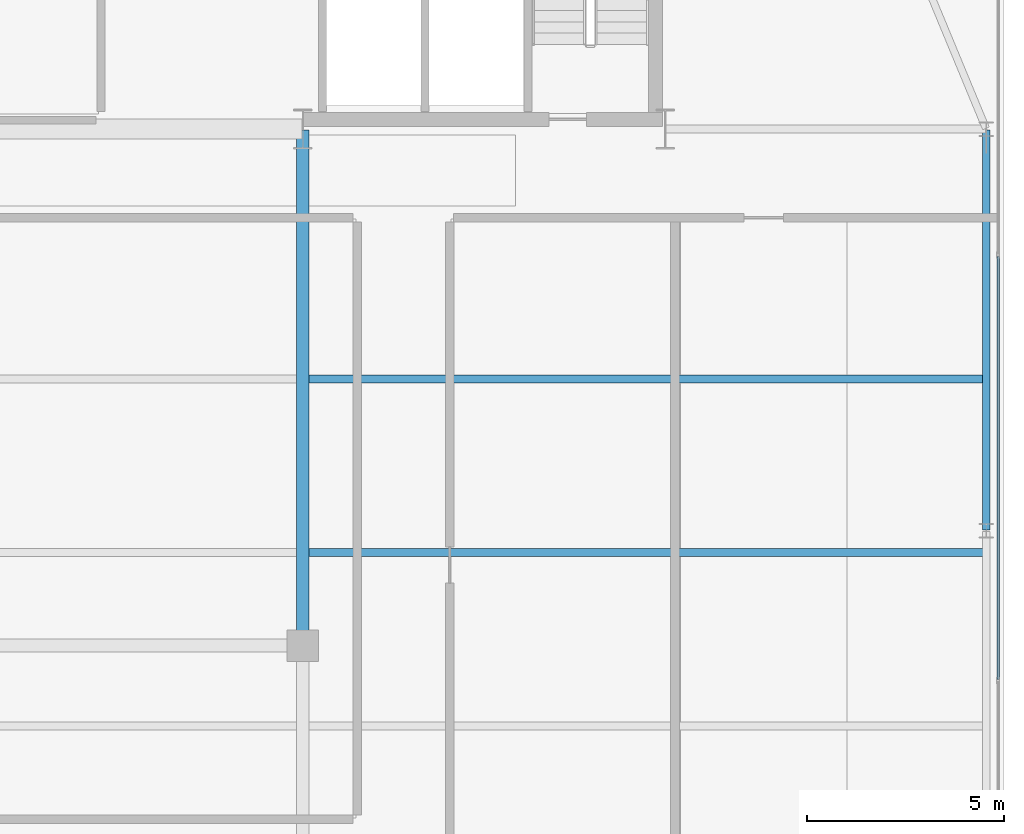
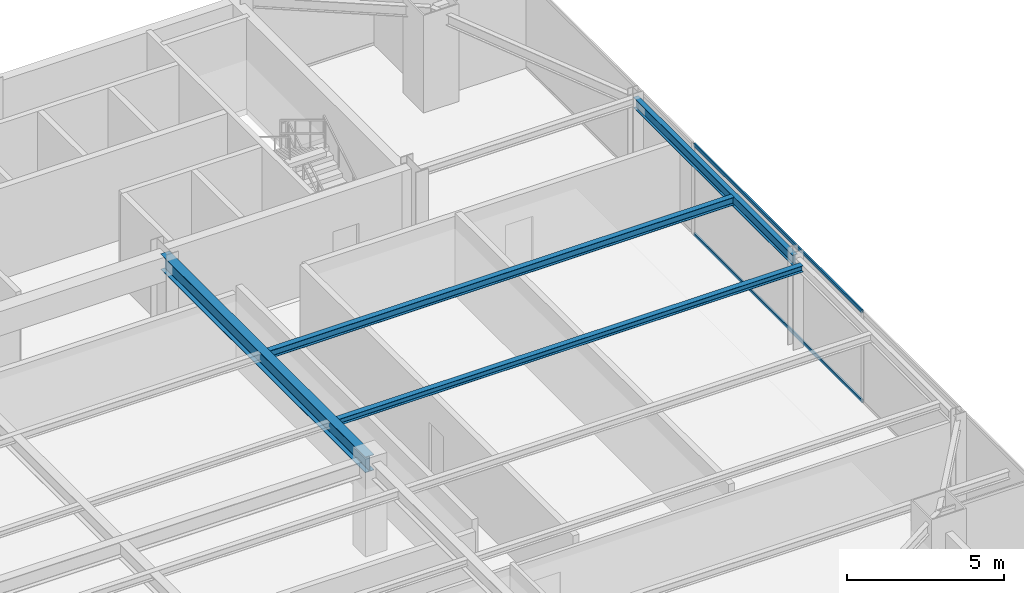
# One storey, part 18 of 29: 4 beams, 2 members, 1 element without a shape of its own.
"""IFC4 building model written with IfcOpenShell, lengths in metres."""

from ifc_helpers import new_model, si_unit, direction, frame, origin, origin_2d, place, context, subcontext, project, spatial, hollow_rectangle, i_section, extrude, source, transform, mapped, material, layer, layer_set, material_profile, profile_set, type_object, type_shapes, element, aggregate, save


model = new_model("IFC4")

# Units and contexts
model_context = context("Model", 3, precision=1e-05, world=origin(), true_north=direction((0.0, 1.0)))
body_context = subcontext(model_context, "Body", "Model", "MODEL_VIEW")
ifc_project = project(units=[si_unit("LENGTHUNIT", "METRE"), si_unit("AREAUNIT", "SQUARE_METRE"), si_unit("VOLUMEUNIT", "CUBIC_METRE"), si_unit("PLANEANGLEUNIT", "RADIAN"), si_unit("MASSUNIT", "GRAM", prefix="KILO")], contexts=[model_context])

# Site, building, storey
site_placement = place(None, origin())
site = spatial("IfcSite", under=ifc_project, at=site_placement, CompositionType="ELEMENT")
building_placement = place(site_placement, origin())
building = spatial("IfcBuilding", under=site, at=building_placement, Name="Varnel Quay Broadcast Tower", CompositionType="ELEMENT")
storey_placement = place(building_placement, frame((0.0, 0.0, 172.39990234375)))
storey = spatial("IfcBuildingStorey", under=building, at=storey_placement, Name="L42", CompositionType="ELEMENT", Elevation=172.39990234375)

# Beams
ifc_material_1 = material(Name="Structural Steel CSA G40.21 350W", Category="steel")
ifc_material_profile_1 = material_profile(ifc_material_1, i_section(OverallWidth=0.180908203125, OverallDepth=0.4169921875, WebThickness=0.010986328125, FlangeThickness=0.018310546875, FilletRadius=0.011962890625, at=origin_2d()), Name="W410X85")
ifc_profile_set_1 = profile_set([ifc_material_profile_1], Name="Structural Steel CSA G40.21 350W")
beam_type_1 = type_object("IfcBeamType", Name="Beam_W410X85", PredefinedType="SPANDREL", material=ifc_profile_set_1)
shared_shape_1 = source(origin(), body_context, "Body", "SweptSolid", [
    extrude(i_section(OverallWidth=0.180908203125, OverallDepth=0.4169921875, WebThickness=0.010986328125, FlangeThickness=0.018310546875, FilletRadius=0.011962890625, at=origin_2d()), origin(), (0.0, 0.0, 1.0), 10.16015625),
])
type_shapes(beam_type_1, [shared_shape_1])
beam_1_placement = place(storey_placement, frame((60.550048828125, 25.419921875, 3.341552734375), z_axis=(0.0, 1.0, 0.0), x_axis=(-1.0, 0.0, 0.0)))
element("IfcBeam", 1, at=beam_1_placement, inside=storey, type_object=beam_type_1, Name="L42 East Spandrel TC-E2-TC-E3", PredefinedType="SPANDREL", context=body_context, shape_type="MappedRepresentation", body=[
    mapped(shared_shape_1, transform((0.0, 0.0, 0.0), x_axis=(1.0, 0.0, 0.0), y_axis=(0.0, 1.0, 0.0), z_axis=(0.0, 0.0, 1.0), scale=1.0)),
])
ifc_material_profile_2 = material_profile(ifc_material_1, i_section(OverallWidth=0.324951171875, OverallDepth=0.615966796875, WebThickness=0.013916015625, FlangeThickness=0.021484375, FilletRadius=0.01611328125, at=origin_2d()), Name="W610X174")
ifc_profile_set_2 = profile_set([ifc_material_profile_2], Name="Structural Steel CSA G40.21 350W")
beam_type_2 = type_object("IfcBeamType", Name="Girder_W610X174", PredefinedType="BEAM", material=ifc_profile_set_2)
shared_shape_2 = source(origin(), body_context, "Body", "SweptSolid", [
    extrude(i_section(OverallWidth=0.324951171875, OverallDepth=0.615966796875, WebThickness=0.013916015625, FlangeThickness=0.021484375, FilletRadius=0.01611328125, at=origin_2d()), origin(), (0.0, 0.0, 1.0), 13.070068359375),
])
type_shapes(beam_type_2, [shared_shape_2])
beam_2_placement = place(storey_placement, frame((43.199951171875, 22.510009765625, 3.2421875), z_axis=(0.0, 1.0, 0.0), x_axis=(-1.0, 0.0, 0.0)))
element("IfcBeam", 2, at=beam_2_placement, inside=storey, type_object=beam_type_2, Name="L42 Primary Girder IC-02-CC-S4", PredefinedType="BEAM", context=body_context, shape_type="MappedRepresentation", body=[
    mapped(shared_shape_2, transform((0.0, 0.0, 0.0), x_axis=(1.0, 0.0, 0.0), y_axis=(0.0, 1.0, 0.0), z_axis=(0.0, 0.0, 1.0), scale=1.0)),
])
ifc_material_profile_3 = material_profile(ifc_material_1, i_section(OverallWidth=0.202880859375, OverallDepth=0.302978515625, WebThickness=0.007568359375, FlangeThickness=0.01318359375, FilletRadius=0.011962890625, at=origin_2d()), Name="W310X60")
ifc_profile_set_3 = profile_set([ifc_material_profile_3], Name="Structural Steel CSA G40.21 350W")
beam_type_3 = type_object("IfcBeamType", Name="Beam_W310X60", PredefinedType="JOIST", material=ifc_profile_set_3)
shared_shape_3 = source(origin(), body_context, "Body", "SweptSolid", [
    extrude(i_section(OverallWidth=0.202880859375, OverallDepth=0.302978515625, WebThickness=0.007568359375, FlangeThickness=0.01318359375, FilletRadius=0.011962890625, at=origin_2d()), origin(), (0.0, 0.0, 1.0), 17.107177734375),
])
type_shapes(beam_type_3, [shared_shape_3])
beam_3_placement = place(storey_placement, frame((43.357421875, 29.25, 3.398681640625), z_axis=(1.0, 0.0, 0.0), x_axis=(0.0, 1.0, 0.0)))
element("IfcBeam", 3, at=beam_3_placement, inside=storey, type_object=beam_type_3, Name="L42 East Floor Joist 5", PredefinedType="JOIST", context=body_context, shape_type="MappedRepresentation", body=[
    mapped(shared_shape_3, transform((0.0, 0.0, 0.0), x_axis=(1.0, 0.0, 0.0), y_axis=(0.0, 1.0, 0.0), z_axis=(0.0, 0.0, 1.0), scale=1.0)),
])
ifc_material_profile_4 = material_profile(ifc_material_1, i_section(OverallWidth=0.201904296875, OverallDepth=0.2470703125, WebThickness=0.00732421875, FlangeThickness=0.010986328125, FilletRadius=0.010986328125, at=origin_2d()), Name="W250X49")
ifc_profile_set_4 = profile_set([ifc_material_profile_4], Name="Structural Steel CSA G40.21 350W")
beam_type_4 = type_object("IfcBeamType", Name="Beam_W250X49", PredefinedType="JOIST", material=ifc_profile_set_4)
shared_shape_4 = source(origin(), body_context, "Body", "SweptSolid", [
    extrude(i_section(OverallWidth=0.201904296875, OverallDepth=0.2470703125, WebThickness=0.00732421875, FlangeThickness=0.010986328125, FilletRadius=0.010986328125, at=origin_2d()), origin(), (0.0, 0.0, 1.0), 17.107177734375),
])
type_shapes(beam_type_4, [shared_shape_4])
beam_4_placement = place(storey_placement, frame((43.357421875, 24.85009765625, 3.426513671875), z_axis=(1.0, 0.0, 0.0), x_axis=(0.0, 1.0, 0.0)))
element("IfcBeam", 4, at=beam_4_placement, inside=storey, type_object=beam_type_4, Name="L42 East Floor Joist 4", PredefinedType="JOIST", context=body_context, shape_type="MappedRepresentation", body=[
    mapped(shared_shape_4, transform((0.0, 0.0, 0.0), x_axis=(1.0, 0.0, 0.0), y_axis=(0.0, 1.0, 0.0), z_axis=(0.0, 0.0, 1.0), scale=1.0)),
])

# Curtain wall, members
ifc_material_2 = material(Name="Anodised Bronze Aluminium 6063-T6", Category="aluminium")
ifc_layer = layer(ifc_material_2, 0.18994140625, Name="Anodised Bronze Aluminium 6063-T6")
ifc_layer_set = layer_set([ifc_layer], Name="Anodised Bronze Aluminium 6063-T6")
curtain_wall_type = type_object("IfcCurtainWallType", Name="CW_UpperTower", PredefinedType="NOTDEFINED", material=ifc_layer_set)
curtain_wall_placement = place(storey_placement, origin())
curtain_wall = element("IfcCurtainWall", 5, at=curtain_wall_placement, inside=storey, type_object=curtain_wall_type, Name="L42 East Unitised Curtain Wall", PredefinedType="NOTDEFINED")
ifc_material_profile_5 = material_profile(ifc_material_2, hollow_rectangle(XDim=0.06005859375, YDim=0.125, WallThickness=0.0029296875, at=origin_2d()), Name="ALU60X125X3")
ifc_profile_set_5 = profile_set([ifc_material_profile_5], Name="Anodised Bronze Aluminium 6063-T6")
member_type = type_object("IfcMemberType", Name="Tran_CWS-03", PredefinedType="USERDEFINED", material=ifc_profile_set_5)
shared_shape_5 = source(origin(), body_context, "Body", "SweptSolid", [
    extrude(hollow_rectangle(XDim=0.06005859375, YDim=0.125, WallThickness=0.0029296875, at=origin_2d()), origin(), (0.0, 0.0, 1.0), 10.73486328125),
])
type_shapes(member_type, [shared_shape_5])
member_1_placement = place(storey_placement, frame((60.85009765625, 21.632568359375, 0.030029296875), z_axis=(0.0, 1.0, 0.0), x_axis=(-1.0, 0.0, 0.0)))
member_1 = element("IfcMember", 6, at=member_1_placement, type_object=member_type, Name="CWS-03 transom 2.1", ObjectType="TRANSOM", PredefinedType="USERDEFINED", context=body_context, shape_type="MappedRepresentation", body=[
    mapped(shared_shape_5, transform((0.0, 0.0, 0.0), x_axis=(1.0, 0.0, 0.0), y_axis=(0.0, 1.0, 0.0), z_axis=(0.0, 0.0, 1.0), scale=1.0)),
])
member_2_placement = place(storey_placement, frame((60.85009765625, 21.632568359375, 3.52001953125), z_axis=(0.0, 1.0, 0.0), x_axis=(-1.0, 0.0, 0.0)))
member_2 = element("IfcMember", 7, at=member_2_placement, type_object=member_type, Name="CWS-03 transom 2.2", ObjectType="TRANSOM", PredefinedType="USERDEFINED", context=body_context, shape_type="MappedRepresentation", body=[
    mapped(shared_shape_5, transform((0.0, 0.0, 0.0), x_axis=(1.0, 0.0, 0.0), y_axis=(0.0, 1.0, 0.0), z_axis=(0.0, 0.0, 1.0), scale=1.0)),
])
aggregate(curtain_wall, [member_1, member_2])

save(model, "model.ifc")
